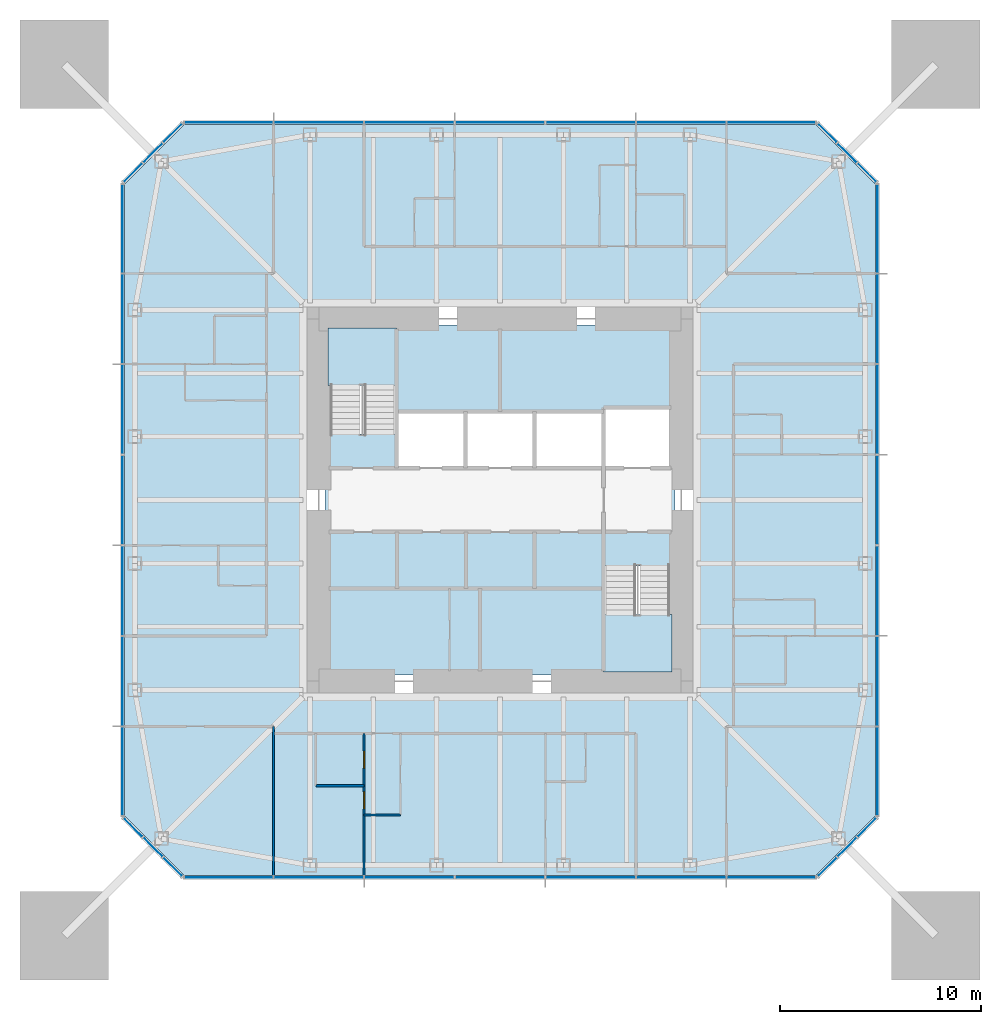
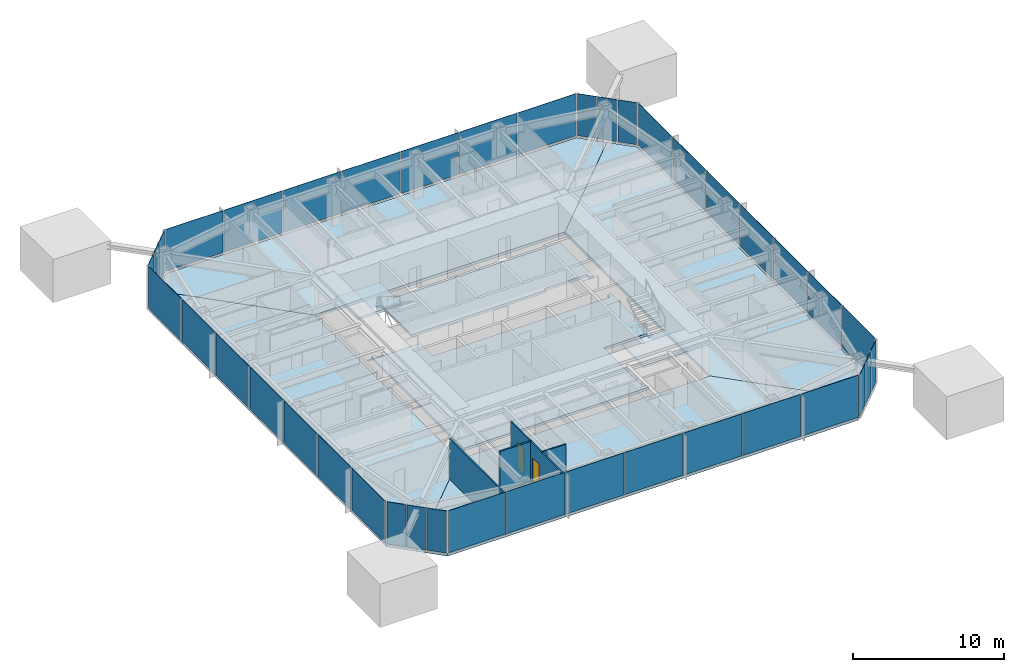
# One storey, part 5 of 11: 40 plates, 8 slabs, 4 walls, 2 doors, 2 openings, 10 elements without a shape of their own.
"""IFC4 building model written with IfcOpenShell, lengths in metres."""

from ifc_helpers import new_model, si_unit, direction, frame, frame_2d, origin, origin_2d, place, context, subcontext, project, spatial, polyline, rectangle, outline, extrude, material, layer, layer_set, constituent, constituent_set, type_object, element, fill, aggregate, save


model = new_model("IFC4")

# Units and contexts
model_context = context("Model", 3, precision=1e-05, world=origin(), true_north=direction((0.0, 1.0)))
body_context = subcontext(model_context, "Body", "Model", "MODEL_VIEW")
ifc_project = project(units=[si_unit("LENGTHUNIT", "METRE"), si_unit("AREAUNIT", "SQUARE_METRE"), si_unit("VOLUMEUNIT", "CUBIC_METRE"), si_unit("PLANEANGLEUNIT", "RADIAN"), si_unit("MASSUNIT", "GRAM", prefix="KILO")], contexts=[model_context])

# Site, building, storey
site_placement = place(None, origin())
site = spatial("IfcSite", under=ifc_project, at=site_placement, CompositionType="ELEMENT")
building_placement = place(site_placement, origin())
building = spatial("IfcBuilding", under=site, at=building_placement, Name="Iwan Alto Co-Living Towers", CompositionType="ELEMENT")
storey_placement = place(building_placement, frame((0.0, 0.0, 177.5)))
storey = spatial("IfcBuildingStorey", under=building, at=storey_placement, Name="L48", CompositionType="ELEMENT", Elevation=177.5)

# Slabs
ifc_material_1 = material(Name="Concrete f'c 30 MPa", Category="concrete")
ifc_layer_1 = layer(ifc_material_1, 0.199951171875)
ifc_layer_set_1 = layer_set([ifc_layer_1], Name="CORE FLOOR SLAB 200")
slab_type_1 = type_object("IfcSlabType", Name="CORE FLOOR SLAB 200", PredefinedType="FLOOR", material=ifc_layer_set_1)
slab_1_placement = place(storey_placement, frame((0.0, 0.0, -0.199951171875)))
element("IfcSlab", 1, at=slab_1_placement, inside=storey, type_object=slab_type_1, Name="T1 core floor L48", PredefinedType="FLOOR", context=body_context, shape_type="SweptSolid", body=[
    extrude(outline(polyline([(5.14990234375, -8.39990234375), (5.4599609375, -8.39990234375), (5.4599609375, -8.699951171875), (-8.699951171875, -8.699951171875), (-8.699951171875, 3.580078125), (-8.39990234375, 3.580078125), (-8.39990234375, 3.27001953125), (-5.14990234375, 3.27001953125), (-5.14990234375, 1.60009765625), (-1.717041015625, 1.60009765625), (1.717041015625, 1.60009765625), (5.14990234375, 1.60009765625), (8.39990234375, 1.60009765625), (8.39990234375, 1.909912109375), (8.699951171875, 1.909912109375), (8.699951171875, -3.580078125), (8.39990234375, -3.580078125), (8.39990234375, -3.27001953125), (5.14990234375, -3.27001953125), (5.14990234375, -8.39990234375)])), origin(), (0.0, 0.0, 1.0), 0.199951171875),
])
slab_2_placement = place(storey_placement, frame((0.0, 0.0, -0.199951171875)))
element("IfcSlab", 2, at=slab_2_placement, inside=storey, type_object=slab_type_1, Name="T1 core floor L48", PredefinedType="FLOOR", context=body_context, shape_type="SweptSolid", body=[
    extrude(outline(polyline([(1.717041015625, 4.39990234375), (-1.717041015625, 4.39990234375), (-5.14990234375, 4.39990234375), (-5.14990234375, 8.39990234375), (-5.4599609375, 8.39990234375), (-5.4599609375, 8.699951171875), (8.699951171875, 8.699951171875), (8.699951171875, 4.2900390625), (8.39990234375, 4.2900390625), (8.39990234375, 4.60009765625), (5.14990234375, 4.60009765625), (5.14990234375, 4.39990234375), (1.717041015625, 4.39990234375)])), origin(), (0.0, 0.0, 1.0), 0.199951171875),
])

# Curtain wall, plates
ifc_material_2 = material(Name="Bronze aluminium unitised frame", Category="aluminium")
curtain_wall_type_1 = type_object("IfcCurtainWallType", Name="CURTAIN WALL CW-A", PredefinedType="NOTDEFINED", material=ifc_material_2)
curtain_wall_1_placement = place(storey_placement, origin())
curtain_wall_1 = element("IfcCurtainWall", 3, at=curtain_wall_1_placement, inside=storey, type_object=curtain_wall_type_1, Name="T1 curtain wall S L48", PredefinedType="NOTDEFINED")
ifc_material_3 = material(Name="Bronze-tinted insulating glass", Category="glass")
ifc_layer_2 = layer(ifc_material_3, 0.031982421875)
ifc_layer_set_2 = layer_set([ifc_layer_2], Name="CW-A PANEL TINTED IGU 32")
plate_type_1 = type_object("IfcPlateType", Name="CW-A PANEL TINTED IGU 32", PredefinedType="CURTAIN_PANEL", material=ifc_layer_set_2)
plate_1_placement = place(storey_placement, frame((-13.47998046875, -18.75, 0.10009765625), z_axis=(0.0, 0.0, 1.0), x_axis=(1.0, 0.0, 0.0)))
plate_1 = element("IfcPlate", 4, at=plate_1_placement, type_object=plate_type_1, Name="CW-A panel 1.1", PredefinedType="CURTAIN_PANEL", context=body_context, shape_type="SweptSolid", body=[
    extrude(rectangle(XDim=4.3798828125, YDim=0.031982421875, at=origin_2d()), origin(), (0.0, 0.0, 1.0), 3.39990234375),
])
plate_2_placement = place(storey_placement, frame((-9.0, -18.75, 0.10009765625), z_axis=(0.0, 0.0, 1.0), x_axis=(1.0, 0.0, 0.0)))
plate_2 = element("IfcPlate", 5, at=plate_2_placement, type_object=plate_type_1, Name="CW-A panel 2.1", PredefinedType="CURTAIN_PANEL", context=body_context, shape_type="SweptSolid", body=[
    extrude(rectangle(XDim=4.419921875, YDim=0.031982421875, at=origin_2d()), origin(), (0.0, 0.0, 1.0), 3.39990234375),
])
plate_3_placement = place(storey_placement, frame((-4.5, -18.75, 0.10009765625), z_axis=(0.0, 0.0, 1.0), x_axis=(1.0, 0.0, 0.0)))
plate_3 = element("IfcPlate", 6, at=plate_3_placement, type_object=plate_type_1, Name="CW-A panel 3.1", PredefinedType="CURTAIN_PANEL", context=body_context, shape_type="SweptSolid", body=[
    extrude(rectangle(XDim=4.419921875, YDim=0.031982421875, at=origin_2d()), origin(), (0.0, 0.0, 1.0), 3.39990234375),
])
plate_4_placement = place(storey_placement, frame((0.0, -18.75, 0.10009765625), z_axis=(0.0, 0.0, 1.0), x_axis=(1.0, 0.0, 0.0)))
plate_4 = element("IfcPlate", 7, at=plate_4_placement, type_object=plate_type_1, Name="CW-A panel 4.1", PredefinedType="CURTAIN_PANEL", context=body_context, shape_type="SweptSolid", body=[
    extrude(rectangle(XDim=4.419921875, YDim=0.031982421875, at=origin_2d()), origin(), (0.0, 0.0, 1.0), 3.39990234375),
])
plate_5_placement = place(storey_placement, frame((4.5, -18.75, 0.10009765625), z_axis=(0.0, 0.0, 1.0), x_axis=(1.0, 0.0, 0.0)))
plate_5 = element("IfcPlate", 8, at=plate_5_placement, type_object=plate_type_1, Name="CW-A panel 5.1", PredefinedType="CURTAIN_PANEL", context=body_context, shape_type="SweptSolid", body=[
    extrude(rectangle(XDim=4.419921875, YDim=0.031982421875, at=origin_2d()), origin(), (0.0, 0.0, 1.0), 3.39990234375),
])
plate_6_placement = place(storey_placement, frame((9.0, -18.75, 0.10009765625), z_axis=(0.0, 0.0, 1.0), x_axis=(1.0, 0.0, 0.0)))
plate_6 = element("IfcPlate", 9, at=plate_6_placement, type_object=plate_type_1, Name="CW-A panel 6.1", PredefinedType="CURTAIN_PANEL", context=body_context, shape_type="SweptSolid", body=[
    extrude(rectangle(XDim=4.419921875, YDim=0.031982421875, at=origin_2d()), origin(), (0.0, 0.0, 1.0), 3.39990234375),
])
plate_7_placement = place(storey_placement, frame((13.47998046875, -18.75, 0.10009765625), z_axis=(0.0, 0.0, 1.0), x_axis=(1.0, 0.0, 0.0)))
plate_7 = element("IfcPlate", 10, at=plate_7_placement, type_object=plate_type_1, Name="CW-A panel 7.1", PredefinedType="CURTAIN_PANEL", context=body_context, shape_type="SweptSolid", body=[
    extrude(rectangle(XDim=4.3798828125, YDim=0.031982421875, at=origin_2d()), origin(), (0.0, 0.0, 1.0), 3.39990234375),
])
aggregate(curtain_wall_1, [plate_1, plate_2, plate_3, plate_4, plate_5, plate_6, plate_7])

curtain_wall_2_placement = place(storey_placement, origin())
curtain_wall_2 = element("IfcCurtainWall", 11, at=curtain_wall_2_placement, inside=storey, type_object=curtain_wall_type_1, Name="T1 curtain wall E L48", PredefinedType="NOTDEFINED")
plate_8_placement = place(storey_placement, frame((18.75, -13.47998046875, 0.10009765625), z_axis=(0.0, 0.0, 1.0), x_axis=(0.0, 1.0, 0.0)))
plate_8 = element("IfcPlate", 12, at=plate_8_placement, type_object=plate_type_1, Name="CW-A panel 1.1", PredefinedType="CURTAIN_PANEL", context=body_context, shape_type="SweptSolid", body=[
    extrude(rectangle(XDim=4.3798828125, YDim=0.031982421875, at=origin_2d()), origin(), (0.0, 0.0, 1.0), 3.39990234375),
])
plate_9_placement = place(storey_placement, frame((18.75, -9.0, 0.10009765625), z_axis=(0.0, 0.0, 1.0), x_axis=(0.0, 1.0, 0.0)))
plate_9 = element("IfcPlate", 13, at=plate_9_placement, type_object=plate_type_1, Name="CW-A panel 2.1", PredefinedType="CURTAIN_PANEL", context=body_context, shape_type="SweptSolid", body=[
    extrude(rectangle(XDim=4.419921875, YDim=0.031982421875, at=origin_2d()), origin(), (0.0, 0.0, 1.0), 3.39990234375),
])
plate_10_placement = place(storey_placement, frame((18.75, -4.5, 0.10009765625), z_axis=(0.0, 0.0, 1.0), x_axis=(0.0, 1.0, 0.0)))
plate_10 = element("IfcPlate", 14, at=plate_10_placement, type_object=plate_type_1, Name="CW-A panel 3.1", PredefinedType="CURTAIN_PANEL", context=body_context, shape_type="SweptSolid", body=[
    extrude(rectangle(XDim=4.419921875, YDim=0.031982421875, at=origin_2d()), origin(), (0.0, 0.0, 1.0), 3.39990234375),
])
plate_11_placement = place(storey_placement, frame((18.75, 0.0, 0.10009765625), z_axis=(0.0, 0.0, 1.0), x_axis=(0.0, 1.0, 0.0)))
plate_11 = element("IfcPlate", 15, at=plate_11_placement, type_object=plate_type_1, Name="CW-A panel 4.1", PredefinedType="CURTAIN_PANEL", context=body_context, shape_type="SweptSolid", body=[
    extrude(rectangle(XDim=4.419921875, YDim=0.031982421875, at=origin_2d()), origin(), (0.0, 0.0, 1.0), 3.39990234375),
])
plate_12_placement = place(storey_placement, frame((18.75, 4.5, 0.10009765625), z_axis=(0.0, 0.0, 1.0), x_axis=(0.0, 1.0, 0.0)))
plate_12 = element("IfcPlate", 16, at=plate_12_placement, type_object=plate_type_1, Name="CW-A panel 5.1", PredefinedType="CURTAIN_PANEL", context=body_context, shape_type="SweptSolid", body=[
    extrude(rectangle(XDim=4.419921875, YDim=0.031982421875, at=origin_2d()), origin(), (0.0, 0.0, 1.0), 3.39990234375),
])
plate_13_placement = place(storey_placement, frame((18.75, 9.0, 0.10009765625), z_axis=(0.0, 0.0, 1.0), x_axis=(0.0, 1.0, 0.0)))
plate_13 = element("IfcPlate", 17, at=plate_13_placement, type_object=plate_type_1, Name="CW-A panel 6.1", PredefinedType="CURTAIN_PANEL", context=body_context, shape_type="SweptSolid", body=[
    extrude(rectangle(XDim=4.419921875, YDim=0.031982421875, at=origin_2d()), origin(), (0.0, 0.0, 1.0), 3.39990234375),
])
plate_14_placement = place(storey_placement, frame((18.75, 13.47998046875, 0.10009765625), z_axis=(0.0, 0.0, 1.0), x_axis=(0.0, 1.0, 0.0)))
plate_14 = element("IfcPlate", 18, at=plate_14_placement, type_object=plate_type_1, Name="CW-A panel 7.1", PredefinedType="CURTAIN_PANEL", context=body_context, shape_type="SweptSolid", body=[
    extrude(rectangle(XDim=4.3798828125, YDim=0.031982421875, at=origin_2d()), origin(), (0.0, 0.0, 1.0), 3.39990234375),
])
aggregate(curtain_wall_2, [plate_8, plate_9, plate_10, plate_11, plate_12, plate_13, plate_14])

curtain_wall_3_placement = place(storey_placement, origin())
curtain_wall_3 = element("IfcCurtainWall", 19, at=curtain_wall_3_placement, inside=storey, type_object=curtain_wall_type_1, Name="T1 curtain wall N L48", PredefinedType="NOTDEFINED")
plate_15_placement = place(storey_placement, frame((13.47998046875, 18.75, 0.10009765625), z_axis=(0.0, 0.0, 1.0), x_axis=(-1.0, 0.0, 0.0)))
plate_15 = element("IfcPlate", 20, at=plate_15_placement, type_object=plate_type_1, Name="CW-A panel 1.1", PredefinedType="CURTAIN_PANEL", context=body_context, shape_type="SweptSolid", body=[
    extrude(rectangle(XDim=4.3798828125, YDim=0.031982421875, at=origin_2d()), origin(), (0.0, 0.0, 1.0), 3.39990234375),
])
plate_16_placement = place(storey_placement, frame((9.0, 18.75, 0.10009765625), z_axis=(0.0, 0.0, 1.0), x_axis=(-1.0, 0.0, 0.0)))
plate_16 = element("IfcPlate", 21, at=plate_16_placement, type_object=plate_type_1, Name="CW-A panel 2.1", PredefinedType="CURTAIN_PANEL", context=body_context, shape_type="SweptSolid", body=[
    extrude(rectangle(XDim=4.419921875, YDim=0.031982421875, at=origin_2d()), origin(), (0.0, 0.0, 1.0), 3.39990234375),
])
plate_17_placement = place(storey_placement, frame((4.5, 18.75, 0.10009765625), z_axis=(0.0, 0.0, 1.0), x_axis=(-1.0, 0.0, 0.0)))
plate_17 = element("IfcPlate", 22, at=plate_17_placement, type_object=plate_type_1, Name="CW-A panel 3.1", PredefinedType="CURTAIN_PANEL", context=body_context, shape_type="SweptSolid", body=[
    extrude(rectangle(XDim=4.419921875, YDim=0.031982421875, at=origin_2d()), origin(), (0.0, 0.0, 1.0), 3.39990234375),
])
plate_18_placement = place(storey_placement, frame((0.0, 18.75, 0.10009765625), z_axis=(0.0, 0.0, 1.0), x_axis=(-1.0, 0.0, 0.0)))
plate_18 = element("IfcPlate", 23, at=plate_18_placement, type_object=plate_type_1, Name="CW-A panel 4.1", PredefinedType="CURTAIN_PANEL", context=body_context, shape_type="SweptSolid", body=[
    extrude(rectangle(XDim=4.419921875, YDim=0.031982421875, at=origin_2d()), origin(), (0.0, 0.0, 1.0), 3.39990234375),
])
plate_19_placement = place(storey_placement, frame((-4.5, 18.75, 0.10009765625), z_axis=(0.0, 0.0, 1.0), x_axis=(-1.0, 0.0, 0.0)))
plate_19 = element("IfcPlate", 24, at=plate_19_placement, type_object=plate_type_1, Name="CW-A panel 5.1", PredefinedType="CURTAIN_PANEL", context=body_context, shape_type="SweptSolid", body=[
    extrude(rectangle(XDim=4.419921875, YDim=0.031982421875, at=origin_2d()), origin(), (0.0, 0.0, 1.0), 3.39990234375),
])
plate_20_placement = place(storey_placement, frame((-9.0, 18.75, 0.10009765625), z_axis=(0.0, 0.0, 1.0), x_axis=(-1.0, 0.0, 0.0)))
plate_20 = element("IfcPlate", 25, at=plate_20_placement, type_object=plate_type_1, Name="CW-A panel 6.1", PredefinedType="CURTAIN_PANEL", context=body_context, shape_type="SweptSolid", body=[
    extrude(rectangle(XDim=4.419921875, YDim=0.031982421875, at=origin_2d()), origin(), (0.0, 0.0, 1.0), 3.39990234375),
])
plate_21_placement = place(storey_placement, frame((-13.47998046875, 18.75, 0.10009765625), z_axis=(0.0, 0.0, 1.0), x_axis=(-1.0, 0.0, 0.0)))
plate_21 = element("IfcPlate", 26, at=plate_21_placement, type_object=plate_type_1, Name="CW-A panel 7.1", PredefinedType="CURTAIN_PANEL", context=body_context, shape_type="SweptSolid", body=[
    extrude(rectangle(XDim=4.3798828125, YDim=0.031982421875, at=origin_2d()), origin(), (0.0, 0.0, 1.0), 3.39990234375),
])
aggregate(curtain_wall_3, [plate_15, plate_16, plate_17, plate_18, plate_19, plate_20, plate_21])

curtain_wall_4_placement = place(storey_placement, origin())
curtain_wall_4 = element("IfcCurtainWall", 27, at=curtain_wall_4_placement, inside=storey, type_object=curtain_wall_type_1, Name="T1 curtain wall W L48", PredefinedType="NOTDEFINED")
plate_22_placement = place(storey_placement, frame((-18.75, 13.47998046875, 0.10009765625), z_axis=(0.0, 0.0, 1.0), x_axis=(0.0, -1.0, 0.0)))
plate_22 = element("IfcPlate", 28, at=plate_22_placement, type_object=plate_type_1, Name="CW-A panel 1.1", PredefinedType="CURTAIN_PANEL", context=body_context, shape_type="SweptSolid", body=[
    extrude(rectangle(XDim=4.3798828125, YDim=0.031982421875, at=origin_2d()), origin(), (0.0, 0.0, 1.0), 3.39990234375),
])
plate_23_placement = place(storey_placement, frame((-18.75, 9.0, 0.10009765625), z_axis=(0.0, 0.0, 1.0), x_axis=(0.0, -1.0, 0.0)))
plate_23 = element("IfcPlate", 29, at=plate_23_placement, type_object=plate_type_1, Name="CW-A panel 2.1", PredefinedType="CURTAIN_PANEL", context=body_context, shape_type="SweptSolid", body=[
    extrude(rectangle(XDim=4.419921875, YDim=0.031982421875, at=origin_2d()), origin(), (0.0, 0.0, 1.0), 3.39990234375),
])
plate_24_placement = place(storey_placement, frame((-18.75, 4.5, 0.10009765625), z_axis=(0.0, 0.0, 1.0), x_axis=(0.0, -1.0, 0.0)))
plate_24 = element("IfcPlate", 30, at=plate_24_placement, type_object=plate_type_1, Name="CW-A panel 3.1", PredefinedType="CURTAIN_PANEL", context=body_context, shape_type="SweptSolid", body=[
    extrude(rectangle(XDim=4.419921875, YDim=0.031982421875, at=origin_2d()), origin(), (0.0, 0.0, 1.0), 3.39990234375),
])
plate_25_placement = place(storey_placement, frame((-18.75, 0.0, 0.10009765625), z_axis=(0.0, 0.0, 1.0), x_axis=(0.0, -1.0, 0.0)))
plate_25 = element("IfcPlate", 31, at=plate_25_placement, type_object=plate_type_1, Name="CW-A panel 4.1", PredefinedType="CURTAIN_PANEL", context=body_context, shape_type="SweptSolid", body=[
    extrude(rectangle(XDim=4.419921875, YDim=0.031982421875, at=origin_2d()), origin(), (0.0, 0.0, 1.0), 3.39990234375),
])
plate_26_placement = place(storey_placement, frame((-18.75, -4.5, 0.10009765625), z_axis=(0.0, 0.0, 1.0), x_axis=(0.0, -1.0, 0.0)))
plate_26 = element("IfcPlate", 32, at=plate_26_placement, type_object=plate_type_1, Name="CW-A panel 5.1", PredefinedType="CURTAIN_PANEL", context=body_context, shape_type="SweptSolid", body=[
    extrude(rectangle(XDim=4.419921875, YDim=0.031982421875, at=origin_2d()), origin(), (0.0, 0.0, 1.0), 3.39990234375),
])
plate_27_placement = place(storey_placement, frame((-18.75, -9.0, 0.10009765625), z_axis=(0.0, 0.0, 1.0), x_axis=(0.0, -1.0, 0.0)))
plate_27 = element("IfcPlate", 33, at=plate_27_placement, type_object=plate_type_1, Name="CW-A panel 6.1", PredefinedType="CURTAIN_PANEL", context=body_context, shape_type="SweptSolid", body=[
    extrude(rectangle(XDim=4.419921875, YDim=0.031982421875, at=origin_2d()), origin(), (0.0, 0.0, 1.0), 3.39990234375),
])
plate_28_placement = place(storey_placement, frame((-18.75, -13.47998046875, 0.10009765625), z_axis=(0.0, 0.0, 1.0), x_axis=(0.0, -1.0, 0.0)))
plate_28 = element("IfcPlate", 34, at=plate_28_placement, type_object=plate_type_1, Name="CW-A panel 7.1", PredefinedType="CURTAIN_PANEL", context=body_context, shape_type="SweptSolid", body=[
    extrude(rectangle(XDim=4.3798828125, YDim=0.031982421875, at=origin_2d()), origin(), (0.0, 0.0, 1.0), 3.39990234375),
])
aggregate(curtain_wall_4, [plate_22, plate_23, plate_24, plate_25, plate_26, plate_27, plate_28])

ifc_material_4 = material(Name="Bronze aluminium unitised frame", Category="aluminium")
curtain_wall_type_2 = type_object("IfcCurtainWallType", Name="CURTAIN WALL CW-B", PredefinedType="NOTDEFINED", material=ifc_material_4)
curtain_wall_5_placement = place(storey_placement, origin())
curtain_wall_5 = element("IfcCurtainWall", 35, at=curtain_wall_5_placement, inside=storey, type_object=curtain_wall_type_2, Name="T1 chamfer curtain wall SE L48", PredefinedType="NOTDEFINED")
ifc_material_5 = material(Name="Bronze-tinted insulating glass", Category="glass")
ifc_layer_3 = layer(ifc_material_5, 0.031982421875)
ifc_layer_set_3 = layer_set([ifc_layer_3], Name="CW-B PANEL TINTED IGU 32")
plate_type_2 = type_object("IfcPlateType", Name="CW-B PANEL TINTED IGU 32", PredefinedType="CURTAIN_PANEL", material=ifc_layer_set_3)
plate_29_placement = place(storey_placement, frame((16.26416015625, -18.23583984375, 0.10009765625), z_axis=(0.0, 0.0, 1.0), x_axis=(0.707106781187, 0.707106781187, 0.0)))
plate_29 = element("IfcPlate", 36, at=plate_29_placement, type_object=plate_type_2, Name="CW-B panel 1.1", PredefinedType="CURTAIN_PANEL", context=body_context, shape_type="SweptSolid", body=[
    extrude(rectangle(XDim=1.294189453125, YDim=0.031982421875, at=origin_2d()), origin(), (0.0, 0.0, 1.0), 3.39990234375),
])
plate_30_placement = place(storey_placement, frame((17.25, -17.25, 0.10009765625), z_axis=(0.0, 0.0, 1.0), x_axis=(0.707106781187, 0.707106781187, 0.0)))
plate_30 = element("IfcPlate", 37, at=plate_30_placement, type_object=plate_type_2, Name="CW-B panel 2.1", PredefinedType="CURTAIN_PANEL", context=body_context, shape_type="SweptSolid", body=[
    extrude(rectangle(XDim=1.334228515625, YDim=0.031982421875, at=origin_2d()), origin(), (0.0, 0.0, 1.0), 3.39990234375),
])
plate_31_placement = place(storey_placement, frame((18.23583984375, -16.26416015625, 0.10009765625), z_axis=(0.0, 0.0, 1.0), x_axis=(0.707106781187, 0.707106781187, 0.0)))
plate_31 = element("IfcPlate", 38, at=plate_31_placement, type_object=plate_type_2, Name="CW-B panel 3.1", PredefinedType="CURTAIN_PANEL", context=body_context, shape_type="SweptSolid", body=[
    extrude(rectangle(XDim=1.294189453125, YDim=0.031982421875, at=origin_2d()), origin(), (0.0, 0.0, 1.0), 3.39990234375),
])
aggregate(curtain_wall_5, [plate_29, plate_30, plate_31])

curtain_wall_6_placement = place(storey_placement, origin())
curtain_wall_6 = element("IfcCurtainWall", 39, at=curtain_wall_6_placement, inside=storey, type_object=curtain_wall_type_2, Name="T1 chamfer curtain wall NE L48", PredefinedType="NOTDEFINED")
plate_32_placement = place(storey_placement, frame((18.23583984375, 16.26416015625, 0.10009765625), z_axis=(0.0, 0.0, 1.0), x_axis=(-0.707106781187, 0.707106781187, 0.0)))
plate_32 = element("IfcPlate", 40, at=plate_32_placement, type_object=plate_type_2, Name="CW-B panel 1.1", PredefinedType="CURTAIN_PANEL", context=body_context, shape_type="SweptSolid", body=[
    extrude(rectangle(XDim=1.294189453125, YDim=0.031982421875, at=origin_2d()), origin(), (0.0, 0.0, 1.0), 3.39990234375),
])
plate_33_placement = place(storey_placement, frame((17.25, 17.25, 0.10009765625), z_axis=(0.0, 0.0, 1.0), x_axis=(-0.707106781187, 0.707106781187, 0.0)))
plate_33 = element("IfcPlate", 41, at=plate_33_placement, type_object=plate_type_2, Name="CW-B panel 2.1", PredefinedType="CURTAIN_PANEL", context=body_context, shape_type="SweptSolid", body=[
    extrude(rectangle(XDim=1.334228515625, YDim=0.031982421875, at=origin_2d()), origin(), (0.0, 0.0, 1.0), 3.39990234375),
])
plate_34_placement = place(storey_placement, frame((16.26416015625, 18.23583984375, 0.10009765625), z_axis=(0.0, 0.0, 1.0), x_axis=(-0.707106781187, 0.707106781187, 0.0)))
plate_34 = element("IfcPlate", 42, at=plate_34_placement, type_object=plate_type_2, Name="CW-B panel 3.1", PredefinedType="CURTAIN_PANEL", context=body_context, shape_type="SweptSolid", body=[
    extrude(rectangle(XDim=1.294189453125, YDim=0.031982421875, at=origin_2d()), origin(), (0.0, 0.0, 1.0), 3.39990234375),
])
aggregate(curtain_wall_6, [plate_32, plate_33, plate_34])

curtain_wall_7_placement = place(storey_placement, origin())
curtain_wall_7 = element("IfcCurtainWall", 43, at=curtain_wall_7_placement, inside=storey, type_object=curtain_wall_type_2, Name="T1 chamfer curtain wall NW L48", PredefinedType="NOTDEFINED")
plate_35_placement = place(storey_placement, frame((-16.26416015625, 18.23583984375, 0.10009765625), z_axis=(0.0, 0.0, 1.0), x_axis=(-0.707106781187, -0.707106781187, 0.0)))
plate_35 = element("IfcPlate", 44, at=plate_35_placement, type_object=plate_type_2, Name="CW-B panel 1.1", PredefinedType="CURTAIN_PANEL", context=body_context, shape_type="SweptSolid", body=[
    extrude(rectangle(XDim=1.294189453125, YDim=0.031982421875, at=origin_2d()), origin(), (0.0, 0.0, 1.0), 3.39990234375),
])
plate_36_placement = place(storey_placement, frame((-17.25, 17.25, 0.10009765625), z_axis=(0.0, 0.0, 1.0), x_axis=(-0.707106781187, -0.707106781187, 0.0)))
plate_36 = element("IfcPlate", 45, at=plate_36_placement, type_object=plate_type_2, Name="CW-B panel 2.1", PredefinedType="CURTAIN_PANEL", context=body_context, shape_type="SweptSolid", body=[
    extrude(rectangle(XDim=1.334228515625, YDim=0.031982421875, at=origin_2d()), origin(), (0.0, 0.0, 1.0), 3.39990234375),
])
plate_37_placement = place(storey_placement, frame((-18.23583984375, 16.26416015625, 0.10009765625), z_axis=(0.0, 0.0, 1.0), x_axis=(-0.707106781187, -0.707106781187, 0.0)))
plate_37 = element("IfcPlate", 46, at=plate_37_placement, type_object=plate_type_2, Name="CW-B panel 3.1", PredefinedType="CURTAIN_PANEL", context=body_context, shape_type="SweptSolid", body=[
    extrude(rectangle(XDim=1.294189453125, YDim=0.031982421875, at=origin_2d()), origin(), (0.0, 0.0, 1.0), 3.39990234375),
])
aggregate(curtain_wall_7, [plate_35, plate_36, plate_37])

curtain_wall_8_placement = place(storey_placement, origin())
curtain_wall_8 = element("IfcCurtainWall", 47, at=curtain_wall_8_placement, inside=storey, type_object=curtain_wall_type_2, Name="T1 chamfer curtain wall SW L48", PredefinedType="NOTDEFINED")
plate_38_placement = place(storey_placement, frame((-18.23583984375, -16.26416015625, 0.10009765625), z_axis=(0.0, 0.0, 1.0), x_axis=(0.707106781187, -0.707106781187, 0.0)))
plate_38 = element("IfcPlate", 48, at=plate_38_placement, type_object=plate_type_2, Name="CW-B panel 1.1", PredefinedType="CURTAIN_PANEL", context=body_context, shape_type="SweptSolid", body=[
    extrude(rectangle(XDim=1.294189453125, YDim=0.031982421875, at=origin_2d()), origin(), (0.0, 0.0, 1.0), 3.39990234375),
])
plate_39_placement = place(storey_placement, frame((-17.25, -17.25, 0.10009765625), z_axis=(0.0, 0.0, 1.0), x_axis=(0.707106781187, -0.707106781187, 0.0)))
plate_39 = element("IfcPlate", 49, at=plate_39_placement, type_object=plate_type_2, Name="CW-B panel 2.1", PredefinedType="CURTAIN_PANEL", context=body_context, shape_type="SweptSolid", body=[
    extrude(rectangle(XDim=1.334228515625, YDim=0.031982421875, at=origin_2d()), origin(), (0.0, 0.0, 1.0), 3.39990234375),
])
plate_40_placement = place(storey_placement, frame((-16.26416015625, -18.23583984375, 0.10009765625), z_axis=(0.0, 0.0, 1.0), x_axis=(0.707106781187, -0.707106781187, 0.0)))
plate_40 = element("IfcPlate", 50, at=plate_40_placement, type_object=plate_type_2, Name="CW-B panel 3.1", PredefinedType="CURTAIN_PANEL", context=body_context, shape_type="SweptSolid", body=[
    extrude(rectangle(XDim=1.294189453125, YDim=0.031982421875, at=origin_2d()), origin(), (0.0, 0.0, 1.0), 3.39990234375),
])
aggregate(curtain_wall_8, [plate_38, plate_39, plate_40])

# Stair, slab
ifc_material_6 = material(Name="Steel ASTM A36", Category="steel")
ifc_constituent_1 = constituent(ifc_material_6, Name="Stringers", Category="LoadBearing")
ifc_material_7 = material(Name="Concrete f'c 30 MPa", Category="concrete")
ifc_constituent_2 = constituent(ifc_material_7, Name="Tread fill", Category="Finish")
ifc_constituent_set = constituent_set(constituents=[ifc_constituent_1, ifc_constituent_2], Name="STAIR 3500 TWO-FLIGHT T1 CORE")
stair_type = type_object("IfcStairType", Name="STAIR 3500 TWO-FLIGHT T1 CORE", PredefinedType="HALF_TURN_STAIR", material=ifc_constituent_set)
stair_1_placement = place(storey_placement, origin())
stair_1 = element("IfcStair", 51, at=stair_1_placement, inside=storey, type_object=stair_type, Name="Stair T1-S1 L48 to L49", PredefinedType="HALF_TURN_STAIR")
ifc_material_8 = material(Name="Concrete f'c 30 MPa", Category="concrete")
ifc_layer_4 = layer(ifc_material_8, 0.199951171875)
ifc_layer_set_4 = layer_set([ifc_layer_4], Name="STAIR LANDING 200")
slab_type_2 = type_object("IfcSlabType", Name="STAIR LANDING 200", PredefinedType="LANDING", material=ifc_layer_set_4)
slab_3_placement = place(storey_placement, frame((0.0, 0.0, 1.550048828125)))
slab_3 = element("IfcSlab", 52, at=slab_3_placement, type_object=slab_type_2, Name="T1-S1 landing 1", PredefinedType="LANDING", context=body_context, shape_type="SweptSolid", body=[
    extrude(outline(polyline([(-8.550048828125, 5.68994140625), (-8.550048828125, 8.550048828125), (-5.14990234375, 8.550048828125), (-5.14990234375, 5.68994140625), (-8.550048828125, 5.68994140625)])), origin(), (0.0, 0.0, 1.0), 0.199951171875),
])
aggregate(stair_1, [slab_3])

stair_2_placement = place(storey_placement, origin())
stair_2 = element("IfcStair", 53, at=stair_2_placement, inside=storey, type_object=stair_type, Name="Stair T1-S2 L48 to L49", PredefinedType="HALF_TURN_STAIR")
slab_4_placement = place(storey_placement, frame((0.0, 0.0, 1.550048828125)))
slab_4 = element("IfcSlab", 54, at=slab_4_placement, type_object=slab_type_2, Name="T1-S2 landing 1", PredefinedType="LANDING", context=body_context, shape_type="SweptSolid", body=[
    extrude(outline(polyline([(5.14990234375, -5.68994140625), (5.14990234375, -8.550048828125), (8.550048828125, -8.550048828125), (8.550048828125, -5.68994140625), (5.14990234375, -5.68994140625)])), origin(), (0.0, 0.0, 1.0), 0.199951171875),
])
aggregate(stair_2, [slab_4])

# Slabs
ifc_material_9 = material(Name="Concrete f'c 30 MPa", Category="concrete")
ifc_layer_5 = layer(ifc_material_9, 0.22998046875)
ifc_layer_set_5 = layer_set([ifc_layer_5], Name="T1 FLOOR SLAB 230")
slab_type_3 = type_object("IfcSlabType", Name="T1 FLOOR SLAB 230", PredefinedType="FLOOR", material=ifc_layer_set_5)
slab_5_placement = place(storey_placement, frame((0.0, 0.0, -0.22998046875)))
element("IfcSlab", 55, at=slab_5_placement, inside=storey, type_object=slab_type_3, Name="T1 floor slab L48 S pour", PredefinedType="FLOOR", context=body_context, shape_type="SweptSolid", body=[
    extrude(outline(polyline([(15.69140625, -18.64990234375), (-15.69140625, -18.64990234375), (-17.170654296875, -17.170654296875), (-9.60009765625, -9.60009765625), (9.60009765625, -9.60009765625), (17.170654296875, -17.170654296875), (15.69140625, -18.64990234375)])), origin(), (0.0, 0.0, 1.0), 0.22998046875),
])
slab_6_placement = place(storey_placement, frame((0.0, 0.0, -0.22998046875)))
element("IfcSlab", 56, at=slab_6_placement, inside=storey, type_object=slab_type_3, Name="T1 floor slab L48 E pour", PredefinedType="FLOOR", context=body_context, shape_type="SweptSolid", body=[
    extrude(outline(polyline([(18.64990234375, 15.69140625), (18.64990234375, -15.69140625), (17.170654296875, -17.170654296875), (9.60009765625, -9.60009765625), (9.60009765625, 9.60009765625), (17.170654296875, 17.170654296875), (18.64990234375, 15.69140625)])), origin(), (0.0, 0.0, 1.0), 0.22998046875),
])
slab_7_placement = place(storey_placement, frame((0.0, 0.0, -0.22998046875)))
element("IfcSlab", 57, at=slab_7_placement, inside=storey, type_object=slab_type_3, Name="T1 floor slab L48 N pour", PredefinedType="FLOOR", context=body_context, shape_type="SweptSolid", body=[
    extrude(outline(polyline([(-15.69140625, 18.64990234375), (15.69140625, 18.64990234375), (17.170654296875, 17.170654296875), (9.60009765625, 9.60009765625), (-9.60009765625, 9.60009765625), (-17.170654296875, 17.170654296875), (-15.69140625, 18.64990234375)])), origin(), (0.0, 0.0, 1.0), 0.22998046875),
])
slab_8_placement = place(storey_placement, frame((0.0, 0.0, -0.22998046875)))
element("IfcSlab", 58, at=slab_8_placement, inside=storey, type_object=slab_type_3, Name="T1 floor slab L48 W pour", PredefinedType="FLOOR", context=body_context, shape_type="SweptSolid", body=[
    extrude(outline(polyline([(-18.64990234375, 15.69140625), (-17.170654296875, 17.170654296875), (-9.60009765625, 9.60009765625), (-9.60009765625, -9.60009765625), (-17.170654296875, -17.170654296875), (-18.64990234375, -15.69140625), (-18.64990234375, 15.69140625)])), origin(), (0.0, 0.0, 1.0), 0.22998046875),
])

# Wall
ifc_material_10 = material(Name="Gypsum board")
ifc_layer_6 = layer(ifc_material_10, 0.012451171875, Name="Board", Category="Finish")
ifc_material_11 = material(Name="Steel ASTM A1003 ST33H cold-formed studs", Category="steel")
ifc_layer_7 = layer(ifc_material_11, 0.074951171875, Name="Studs", Category="Framing")
ifc_layer_8 = layer(ifc_material_10, 0.012451171875, Name="Board", Category="Finish")
ifc_layer_set_6 = layer_set([ifc_layer_6, ifc_layer_7, ifc_layer_8], Name="PARTITION 100")
wall_type_1 = type_object("IfcWallType", Name="PARTITION 100", PredefinedType="PARTITIONING", material=ifc_layer_set_6)
wall_1_placement = place(storey_placement, frame((-6.75, -15.64990234375, 0.0), z_axis=(0.0, 0.0, 1.0), x_axis=(1.0, 0.0, 0.0)))
element("IfcWall", 59, at=wall_1_placement, inside=storey, type_object=wall_type_1, Name="Partition L48", PredefinedType="PARTITIONING", context=body_context, shape_type="SweptSolid", body=[
    extrude(rectangle(XDim=1.800048828125, YDim=0.10009765625, at=frame_2d((0.89990234375, 0.0))), origin(), (0.0, 0.0, 1.0), 3.27001953125),
])

# Wall, openings, doors
wall_2_placement = place(storey_placement, frame((-6.75, -18.68994140625, 0.0), z_axis=(0.0, 0.0, 1.0), x_axis=(0.0, 1.0, 0.0)))
wall_2 = element("IfcWall", 60, at=wall_2_placement, inside=storey, type_object=wall_type_1, Name="Partition L48", PredefinedType="PARTITIONING", context=body_context, shape_type="SweptSolid", body=[
    extrude(rectangle(XDim=7.08984375, YDim=0.10009765625, at=frame_2d((3.544921875, 0.0))), origin(), (0.0, 0.0, 1.0), 3.27001953125),
])
opening_1_placement = place(wall_2_placement, frame((3.340087890625, 0.0, 0.0)))
opening_1 = element("IfcOpeningElement", 61, at=opening_1_placement, cuts=wall_2, Name="Opening D2", PredefinedType="OPENING", context=body_context, shape_type="SweptSolid", body=[
    extrude(rectangle(XDim=0.85009765625, YDim=2.10009765625, at=frame_2d((0.425048828125, 1.050048828125))), frame((0.0, 0.06005859375, 0.0), z_axis=(0.0, -1.0, 0.0), x_axis=(1.0, 0.0, 0.0)), (0.0, 0.0, 1.0), 0.1201171875),
])
opening_2_placement = place(wall_2_placement, frame((5.364990234375, 0.0, 0.0)))
opening_2 = element("IfcOpeningElement", 62, at=opening_2_placement, cuts=wall_2, Name="Opening D2", PredefinedType="OPENING", context=body_context, shape_type="SweptSolid", body=[
    extrude(rectangle(XDim=0.85009765625, YDim=2.10009765625, at=frame_2d((0.425048828125, 1.050048828125))), frame((0.0, 0.06005859375, 0.0), z_axis=(0.0, -1.0, 0.0), x_axis=(1.0, 0.0, 0.0)), (0.0, 0.0, 1.0), 0.1201171875),
])
ifc_material_12 = material(Name="Timber leaf in steel frame", Category="steel")
door_type = type_object("IfcDoorType", Name="ROOM DOOR 850X2100", OperationType="SINGLE_SWING_LEFT", PredefinedType="DOOR", material=ifc_material_12)
door_1_placement = place(opening_1_placement, origin())
door_1 = element("IfcDoor", 63, at=door_1_placement, inside=storey, type_object=door_type, Name="Bedroom door L48", OperationType="SINGLE_SWING_RIGHT", OverallHeight=2.10009765625, OverallWidth=0.85009765625, PredefinedType="DOOR", context=body_context, shape_type="SweptSolid", body=[
    extrude(rectangle(XDim=0.85009765625, YDim=2.10009765625, at=frame_2d((0.425048828125, 1.050048828125))), frame((0.0, 0.02490234375, 0.0), z_axis=(0.0, -1.0, 0.0), x_axis=(1.0, 0.0, 0.0)), (0.0, 0.0, 1.0), 0.050048828125),
])
fill(opening_1, door_1)
door_2_placement = place(opening_2_placement, origin())
door_2 = element("IfcDoor", 64, at=door_2_placement, inside=storey, type_object=door_type, Name="Bathroom door L48", OperationType="SINGLE_SWING_LEFT", OverallHeight=2.10009765625, OverallWidth=0.85009765625, PredefinedType="DOOR", context=body_context, shape_type="SweptSolid", body=[
    extrude(rectangle(XDim=0.85009765625, YDim=2.10009765625, at=frame_2d((0.425048828125, 1.050048828125))), frame((0.0, 0.02490234375, 0.0), z_axis=(0.0, -1.0, 0.0), x_axis=(1.0, 0.0, 0.0)), (0.0, 0.0, 1.0), 0.050048828125),
])
fill(opening_2, door_2)

# Walls
wall_3_placement = place(storey_placement, frame((-11.25, -18.68994140625, 0.0), z_axis=(0.0, 0.0, 1.0), x_axis=(0.0, 1.0, 0.0)))
element("IfcWall", 65, at=wall_3_placement, inside=storey, type_object=wall_type_1, Name="Partition L48", PredefinedType="PARTITIONING", context=body_context, shape_type="SweptSolid", body=[
    extrude(rectangle(XDim=7.43994140625, YDim=0.10009765625, at=frame_2d((3.719970703125, 0.0))), origin(), (0.0, 0.0, 1.0), 3.27001953125),
])
ifc_material_13 = material(Name="Cement board")
ifc_layer_9 = layer(ifc_material_13, 0.012451171875, Name="Board", Category="Finish")
ifc_layer_10 = layer(ifc_material_11, 0.094970703125, Name="Studs", Category="Framing")
ifc_layer_11 = layer(ifc_material_13, 0.012451171875, Name="Board", Category="Finish")
ifc_layer_set_7 = layer_set([ifc_layer_9, ifc_layer_10, ifc_layer_11], Name="WET AREA PARTITION 120")
wall_type_2 = type_object("IfcWallType", Name="WET AREA PARTITION 120", PredefinedType="PARTITIONING", material=ifc_layer_set_7)
wall_4_placement = place(storey_placement, frame((-9.14990234375, -14.199951171875, 0.0), z_axis=(0.0, 0.0, 1.0), x_axis=(1.0, 0.0, 0.0)))
element("IfcWall", 66, at=wall_4_placement, inside=storey, type_object=wall_type_2, Name="Partition L48", PredefinedType="PARTITIONING", context=body_context, shape_type="SweptSolid", body=[
    extrude(rectangle(XDim=2.39990234375, YDim=0.1201171875, at=frame_2d((1.199951171875, 0.0))), origin(), (0.0, 0.0, 1.0), 3.27001953125),
])

save(model, "model.ifc")
